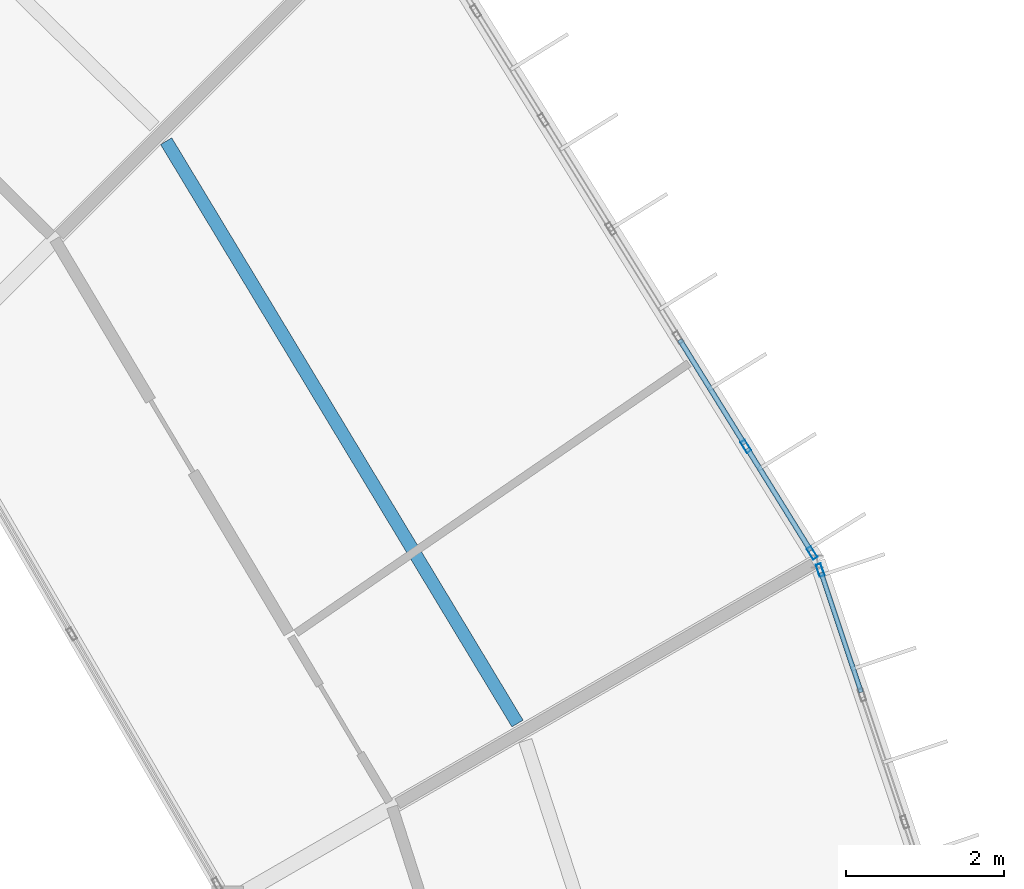
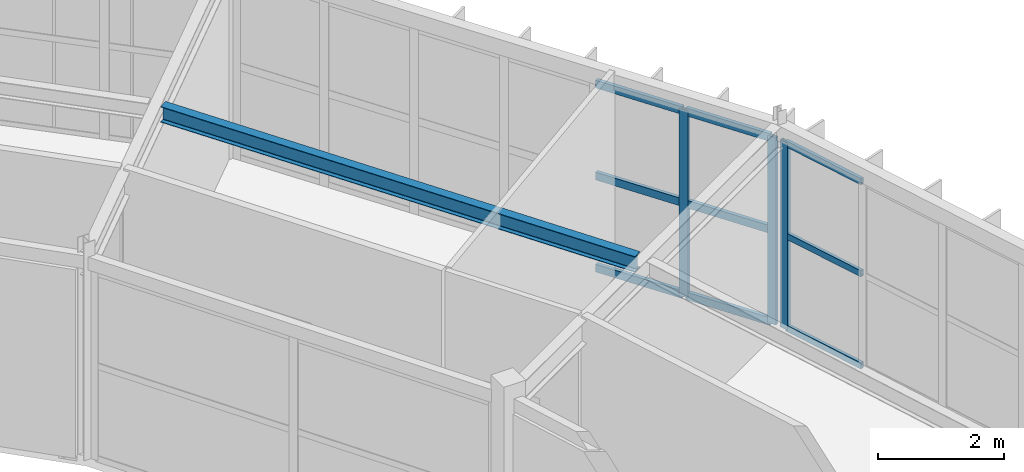
# One storey, part 96 of 157: 12 members, 1 beam, 2 elements without a shape of their own.
"""IFC4 building model written with IfcOpenShell, lengths in metres."""

from ifc_helpers import new_model, si_unit, direction, frame, origin, origin_2d, place, context, subcontext, project, spatial, hollow_rectangle, i_section, extrude, material, material_profile, profile_set, type_object, element, aggregate, save


model = new_model("IFC4")

# Units and contexts
model_context = context("Model", 3, precision=1e-05, world=origin(), true_north=direction((0.0, 1.0)))
body_context = subcontext(model_context, "Body", "Model", "MODEL_VIEW")
ifc_project = project(units=[si_unit("LENGTHUNIT", "METRE"), si_unit("AREAUNIT", "SQUARE_METRE"), si_unit("VOLUMEUNIT", "CUBIC_METRE"), si_unit("PLANEANGLEUNIT", "RADIAN"), si_unit("MASSUNIT", "GRAM", prefix="KILO")], contexts=[model_context])

# Site, building, storey
site_placement = place(None, origin())
site = spatial("IfcSite", under=ifc_project, at=site_placement, CompositionType="ELEMENT")
building_placement = place(site_placement, origin())
building = spatial("IfcBuilding", under=site, at=building_placement, Name="Karori Crest Natural Sciences Institute", CompositionType="ELEMENT")
storey_placement = place(building_placement, frame((0.0, 0.0, 13.300048828125)))
storey = spatial("IfcBuildingStorey", under=building, at=storey_placement, Name="L03", CompositionType="ELEMENT", Elevation=13.300048828125)

# Beam
ifc_material_1 = material(Name="Structural steel AS/NZS 3679.1 Grade 350", Category="steel")
ifc_material_profile_1 = material_profile(ifc_material_1, i_section(OverallWidth=0.1650390625, OverallDepth=0.303955078125, WebThickness=0.006103515625, FlangeThickness=0.01025390625, FilletRadius=0.010986328125, at=origin_2d()), Name="310UB40.4")
ifc_profile_set_1 = profile_set([ifc_material_profile_1], Name="Structural steel AS/NZS 3679.1 Grade 350")
beam_type = type_object("IfcBeamType", Name="BT-10", PredefinedType="BEAM", material=ifc_profile_set_1)
beam_placement = place(storey_placement, frame((91.19287109375, 68.252685546875, 3.787841796875), z_axis=(-0.516601017309, 0.856226248672, 0.0), x_axis=(-0.856226248672, -0.516601017309, 0.0)))
element("IfcBeam", 1, at=beam_placement, inside=storey, type_object=beam_type, Name="Beam B-0370", PredefinedType="BEAM", context=body_context, shape_type="SweptSolid", body=[
    extrude(i_section(OverallWidth=0.1650390625, OverallDepth=0.303955078125, WebThickness=0.006103515625, FlangeThickness=0.01025390625, FilletRadius=0.010986328125, at=origin_2d()), origin(), (0.0, 0.0, 1.0), 8.5888671875),
])

# Curtain wall, member
ifc_material_2 = material(Name="Anodised architectural aluminium 6063-T6", Category="aluminium")
curtain_wall_type_1 = type_object("IfcCurtainWallType", Name="CWT-02", PredefinedType="NOTDEFINED", material=ifc_material_2)
curtain_wall_1_placement = place(storey_placement, origin())
curtain_wall_1 = element("IfcCurtainWall", 2, at=curtain_wall_1_placement, inside=storey, type_object=curtain_wall_type_1, Name="Curtain wall CW-0102", PredefinedType="NOTDEFINED")
ifc_material_profile_2 = material_profile(ifc_material_2, hollow_rectangle(XDim=0.06494140625, YDim=0.159912109375, WallThickness=0.00390625, at=origin_2d()), Name="CWM160x65x4")
ifc_profile_set_2 = profile_set([ifc_material_profile_2], Name="Anodised architectural aluminium 6063-T6")
member_type_1 = type_object("IfcMemberType", Name="CWM-01", PredefinedType="MULLION", material=ifc_profile_set_2)
member_1_placement = place(storey_placement, frame((95.015625, 70.190185546875, 0.0), z_axis=(0.0, 0.0, 1.0), x_axis=(0.94819805026, 0.317679803392, 0.0)))
member_1 = element("IfcMember", 3, at=member_1_placement, type_object=member_type_1, Name="CW-0102 mullion 1", PredefinedType="MULLION", context=body_context, shape_type="SweptSolid", body=[
    extrude(hollow_rectangle(XDim=0.06494140625, YDim=0.159912109375, WallThickness=0.00390625, at=origin_2d()), origin(), (0.0, 0.0, 1.0), 3.625),
])

# Curtain wall, members
curtain_wall_type_2 = type_object("IfcCurtainWallType", Name="CWT-03", PredefinedType="NOTDEFINED", material=ifc_material_2)
curtain_wall_2_placement = place(storey_placement, origin())
curtain_wall_2 = element("IfcCurtainWall", 4, at=curtain_wall_2_placement, inside=storey, type_object=curtain_wall_type_2, Name="Curtain wall CW-0103", PredefinedType="NOTDEFINED")
member_2_placement = place(storey_placement, frame((94.076904296875, 71.7529296875, 0.0), z_axis=(0.0, 0.0, 1.0), x_axis=(0.849661985715, 0.527327706489, 0.0)))
member_2 = element("IfcMember", 5, at=member_2_placement, type_object=member_type_1, Name="CW-0103 mullion 6", PredefinedType="MULLION", context=body_context, shape_type="SweptSolid", body=[
    extrude(hollow_rectangle(XDim=0.06494140625, YDim=0.159912109375, WallThickness=0.00390625, at=origin_2d()), origin(), (0.0, 0.0, 1.0), 3.625),
])
member_3_placement = place(storey_placement, frame((94.912353515625, 70.406982421875, 0.0), z_axis=(0.0, 0.0, 1.0), x_axis=(0.849661985715, 0.527327706489, 0.0)))
member_3 = element("IfcMember", 6, at=member_3_placement, type_object=member_type_1, Name="CW-0103 mullion 7", PredefinedType="MULLION", context=body_context, shape_type="SweptSolid", body=[
    extrude(hollow_rectangle(XDim=0.06494140625, YDim=0.159912109375, WallThickness=0.00390625, at=origin_2d()), origin(), (0.0, 0.0, 1.0), 3.625),
])

# Member
ifc_material_profile_3 = material_profile(ifc_material_2, hollow_rectangle(XDim=0.06005859375, YDim=0.1201171875, WallThickness=0.00390625, at=origin_2d()), Name="CWT120x60x4")
ifc_profile_set_3 = profile_set([ifc_material_profile_3], Name="Anodised architectural aluminium 6063-T6")
member_type_2 = type_object("IfcMemberType", Name="CWT-TR1", PredefinedType="USERDEFINED", material=ifc_profile_set_3)
member_4_placement = place(storey_placement, frame((95.02587890625, 70.1591796875, 0.030029296875), z_axis=(0.317695793379, -0.9481926929, 0.0), x_axis=(0.9481926929, 0.317695793379, 0.0)))
member_4 = element("IfcMember", 7, at=member_4_placement, type_object=member_type_2, Name="CW-0102 transom 1.1", ObjectType="TRANSOM", PredefinedType="USERDEFINED", context=body_context, shape_type="SweptSolid", body=[
    extrude(hollow_rectangle(XDim=0.06005859375, YDim=0.1201171875, WallThickness=0.00390625, at=origin_2d()), origin(), (0.0, 0.0, 1.0), 1.59619140625),
])

member_5_placement = place(storey_placement, frame((95.02587890625, 70.1591796875, 1.8125), z_axis=(0.317695793379, -0.9481926929, 0.0), x_axis=(0.9481926929, 0.317695793379, 0.0)))
member_5 = element("IfcMember", 8, at=member_5_placement, type_object=member_type_2, Name="CW-0102 transom 1.2", ObjectType="TRANSOM", PredefinedType="USERDEFINED", context=body_context, shape_type="SweptSolid", body=[
    extrude(hollow_rectangle(XDim=0.06005859375, YDim=0.1201171875, WallThickness=0.00390625, at=origin_2d()), origin(), (0.0, 0.0, 1.0), 1.59619140625),
])

member_6_placement = place(storey_placement, frame((95.02587890625, 70.1591796875, 3.594970703125), z_axis=(0.317695793379, -0.9481926929, 0.0), x_axis=(0.9481926929, 0.317695793379, 0.0)))
member_6 = element("IfcMember", 9, at=member_6_placement, type_object=member_type_2, Name="CW-0102 transom 1.3", ObjectType="TRANSOM", PredefinedType="USERDEFINED", context=body_context, shape_type="SweptSolid", body=[
    extrude(hollow_rectangle(XDim=0.06005859375, YDim=0.1201171875, WallThickness=0.00390625, at=origin_2d()), origin(), (0.0, 0.0, 1.0), 1.59619140625),
])

aggregate(curtain_wall_1, [member_1, member_4, member_5, member_6])

ifc_material_profile_4 = material_profile(ifc_material_2, hollow_rectangle(XDim=0.06494140625, YDim=0.14990234375, WallThickness=0.00390625, at=origin_2d()), Name="CWT150x65x4")
ifc_profile_set_4 = profile_set([ifc_material_profile_4], Name="Anodised architectural aluminium 6063-T6")
member_type_3 = type_object("IfcMemberType", Name="CWT-TR2", PredefinedType="USERDEFINED", material=ifc_profile_set_4)
member_7_placement = place(storey_placement, frame((93.241455078125, 73.09912109375, 0.032470703125), z_axis=(0.5273941938, -0.849620717936, 0.0), x_axis=(0.849620717936, 0.5273941938, 0.0)))
member_7 = element("IfcMember", 10, at=member_7_placement, type_object=member_type_3, Name="CW-0103 transom 5.1", ObjectType="TRANSOM", PredefinedType="USERDEFINED", context=body_context, shape_type="SweptSolid", body=[
    extrude(hollow_rectangle(XDim=0.06494140625, YDim=0.14990234375, WallThickness=0.00390625, at=origin_2d()), origin(), (0.0, 0.0, 1.0), 1.5517578125),
])

member_8_placement = place(storey_placement, frame((93.241455078125, 73.09912109375, 1.8125), z_axis=(0.5273941938, -0.849620717936, 0.0), x_axis=(0.849620717936, 0.5273941938, 0.0)))
member_8 = element("IfcMember", 11, at=member_8_placement, type_object=member_type_3, Name="CW-0103 transom 5.2", ObjectType="TRANSOM", PredefinedType="USERDEFINED", context=body_context, shape_type="SweptSolid", body=[
    extrude(hollow_rectangle(XDim=0.06494140625, YDim=0.14990234375, WallThickness=0.00390625, at=origin_2d()), origin(), (0.0, 0.0, 1.0), 1.5517578125),
])

member_9_placement = place(storey_placement, frame((93.241455078125, 73.09912109375, 3.592529296875), z_axis=(0.5273941938, -0.849620717936, 0.0), x_axis=(0.849620717936, 0.5273941938, 0.0)))
member_9 = element("IfcMember", 12, at=member_9_placement, type_object=member_type_3, Name="CW-0103 transom 5.3", ObjectType="TRANSOM", PredefinedType="USERDEFINED", context=body_context, shape_type="SweptSolid", body=[
    extrude(hollow_rectangle(XDim=0.06494140625, YDim=0.14990234375, WallThickness=0.00390625, at=origin_2d()), origin(), (0.0, 0.0, 1.0), 1.5517578125),
])

member_10_placement = place(storey_placement, frame((94.09423828125, 71.725341796875, 0.032470703125), z_axis=(0.52729485079, -0.849682376144, 0.0), x_axis=(0.849682376144, 0.52729485079, 0.0)))
member_10 = element("IfcMember", 13, at=member_10_placement, type_object=member_type_3, Name="CW-0103 transom 6.1", ObjectType="TRANSOM", PredefinedType="USERDEFINED", context=body_context, shape_type="SweptSolid", body=[
    extrude(hollow_rectangle(XDim=0.06494140625, YDim=0.14990234375, WallThickness=0.00390625, at=origin_2d()), origin(), (0.0, 0.0, 1.0), 1.51904296875),
])

member_11_placement = place(storey_placement, frame((94.09423828125, 71.725341796875, 1.8125), z_axis=(0.52729485079, -0.849682376144, 0.0), x_axis=(0.849682376144, 0.52729485079, 0.0)))
member_11 = element("IfcMember", 14, at=member_11_placement, type_object=member_type_3, Name="CW-0103 transom 6.2", ObjectType="TRANSOM", PredefinedType="USERDEFINED", context=body_context, shape_type="SweptSolid", body=[
    extrude(hollow_rectangle(XDim=0.06494140625, YDim=0.14990234375, WallThickness=0.00390625, at=origin_2d()), origin(), (0.0, 0.0, 1.0), 1.51904296875),
])

member_12_placement = place(storey_placement, frame((94.09423828125, 71.725341796875, 3.592529296875), z_axis=(0.52729485079, -0.849682376144, 0.0), x_axis=(0.849682376144, 0.52729485079, 0.0)))
member_12 = element("IfcMember", 15, at=member_12_placement, type_object=member_type_3, Name="CW-0103 transom 6.3", ObjectType="TRANSOM", PredefinedType="USERDEFINED", context=body_context, shape_type="SweptSolid", body=[
    extrude(hollow_rectangle(XDim=0.06494140625, YDim=0.14990234375, WallThickness=0.00390625, at=origin_2d()), origin(), (0.0, 0.0, 1.0), 1.51904296875),
])

aggregate(curtain_wall_2, [member_2, member_3, member_7, member_8, member_9, member_10, member_11, member_12])

save(model, "model.ifc")
